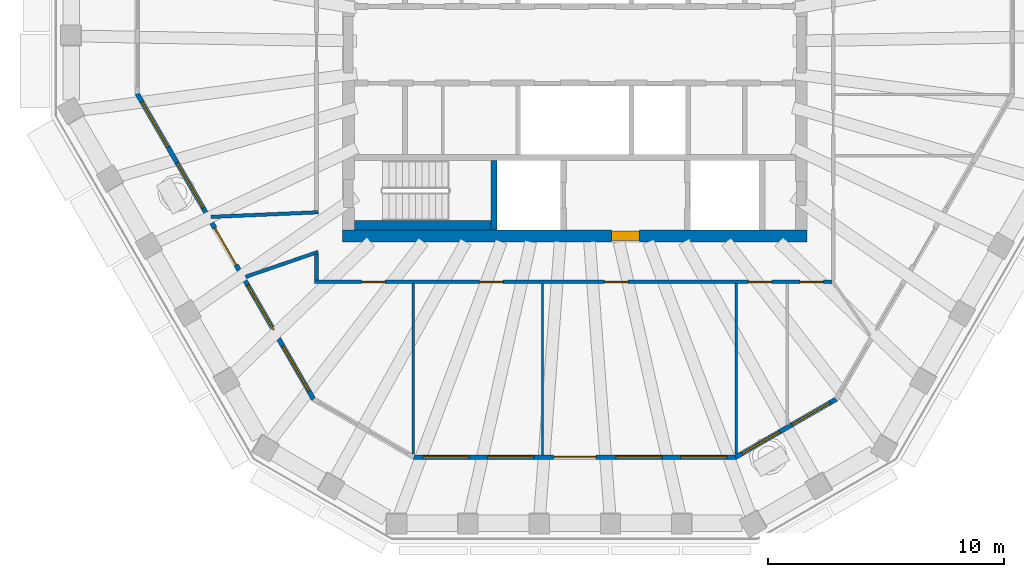
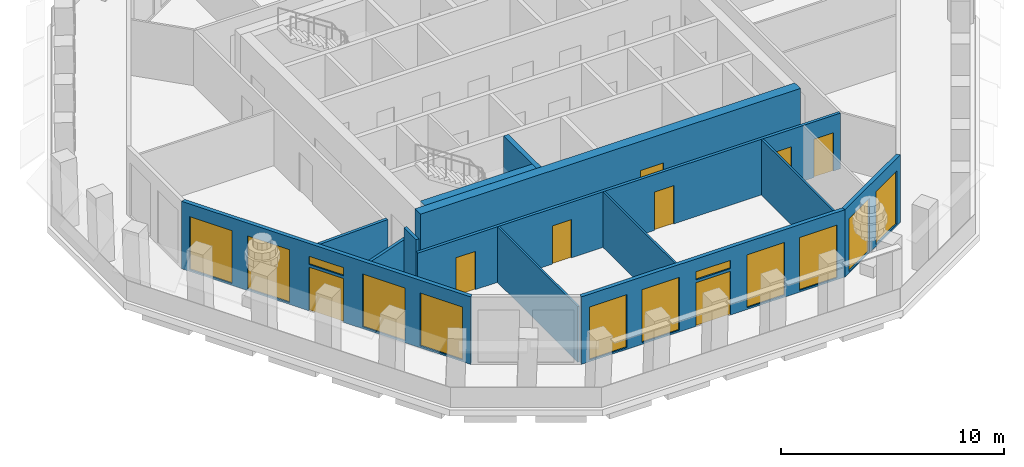
# One storey, part 3 of 11: 13 walls, 12 windows, 8 doors, 20 openings.
"""IFC4 building model written with IfcOpenShell, lengths in metres."""

from ifc_helpers import new_model, si_unit, direction, frame, frame_2d, origin, place, context, subcontext, project, spatial, polyline, rectangle, outline, extrude, material, layer, layer_set, type_object, element, fill, save


model = new_model("IFC4")

# Units and contexts
model_context = context("Model", 3, precision=1e-05, world=origin(), true_north=direction((0.0, 1.0)))
body_context = subcontext(model_context, "Body", "Model", "MODEL_VIEW")
ifc_project = project(units=[si_unit("LENGTHUNIT", "METRE"), si_unit("AREAUNIT", "SQUARE_METRE"), si_unit("VOLUMEUNIT", "CUBIC_METRE"), si_unit("PLANEANGLEUNIT", "RADIAN"), si_unit("MASSUNIT", "GRAM", prefix="KILO")], contexts=[model_context])

# Site, building, storey
site_placement = place(None, origin())
site = spatial("IfcSite", under=ifc_project, at=site_placement, CompositionType="ELEMENT")
building_placement = place(site_placement, origin())
building = spatial("IfcBuilding", under=site, at=building_placement, Name="Frailejon Research Tower", CompositionType="ELEMENT")
storey_placement = place(building_placement, frame((0.0, 0.0, 320.60009765625)))
storey = spatial("IfcBuildingStorey", under=building, at=storey_placement, Name="L71", CompositionType="ELEMENT", Elevation=320.60009765625)

# Wall, opening, door
ifc_material_1 = material(Name="Concrete C50/60", Category="concrete")
ifc_layer_1 = layer(ifc_material_1, 0.5)
ifc_layer_set_1 = layer_set([ifc_layer_1], Name="Core shear wall 500 C50/60")
wall_type_1 = type_object("IfcWallType", Name="Core shear wall 500 C50/60", PredefinedType="SHEAR", material=ifc_layer_set_1)
wall_1_placement = place(storey_placement, frame((-9.85009765625, -8.10009765625, 0.0), z_axis=(0.0, 0.0, 1.0), x_axis=(1.0, 0.0, 0.0)))
wall_1 = element("IfcWall", 1, at=wall_1_placement, inside=storey, type_object=wall_type_1, Name="Core shear wall", PredefinedType="SHEAR", context=body_context, shape_type="SweptSolid", body=[
    extrude(rectangle(XDim=19.7001953125, YDim=0.5, at=frame_2d((9.85009765625, 0.0))), origin(), (0.0, 0.0, 1.0), 3.699951171875),
])
opening_1_placement = place(wall_1_placement, frame((11.39990234375, 0.0, 0.0)))
opening_1 = element("IfcOpeningElement", 2, at=opening_1_placement, cuts=wall_1, Name="Opening D3", PredefinedType="OPENING", context=body_context, shape_type="SweptSolid", body=[
    extrude(rectangle(XDim=1.199951171875, YDim=2.10009765625, at=frame_2d((0.60009765625, 1.050048828125))), frame((0.0, 0.260009765625, 0.0), z_axis=(0.0, -1.0, 0.0), x_axis=(1.0, 0.0, 0.0)), (0.0, 0.0, 1.0), 0.52001953125),
])
ifc_material_2 = material(Name="Steel", Category="steel")
door_type_1 = type_object("IfcDoorType", Name="Firefighting lobby door", OperationType="SINGLE_SWING_LEFT", PredefinedType="DOOR", material=ifc_material_2)
door_1_placement = place(opening_1_placement, origin())
door_1 = element("IfcDoor", 3, at=door_1_placement, inside=storey, type_object=door_type_1, Name="Firefighting lobby door", OperationType="SINGLE_SWING_LEFT", OverallHeight=2.10009765625, OverallWidth=1.199951171875, PredefinedType="DOOR", context=body_context, shape_type="SweptSolid", body=[
    extrude(rectangle(XDim=1.199951171875, YDim=2.10009765625, at=frame_2d((0.60009765625, 1.050048828125))), frame((0.0, 0.199951171875, 0.0), z_axis=(0.0, -1.0, 0.0), x_axis=(1.0, 0.0, 0.0)), (0.0, 0.0, 1.0), 0.39990234375),
])
fill(opening_1, door_1)

# Wall
ifc_material_3 = material(Name="Gypsum board and masonry partition", Category="masonry")
ifc_layer_2 = layer(ifc_material_3, 0.14990234375)
ifc_layer_set_2 = layer_set([ifc_layer_2], Name="Corridor wall EI 60, gypsum on steel studs 150")
wall_type_2 = type_object("IfcWallType", Name="Corridor wall EI 60, gypsum on steel studs 150", PredefinedType="PARTITIONING", material=ifc_layer_set_2)
wall_2_placement = place(storey_placement, frame((-10.949951171875, -9.97509765625, 0.0), z_axis=(0.0, 0.0, 1.0), x_axis=(0.0, 1.0, 0.0)))
element("IfcWall", 4, at=wall_2_placement, inside=storey, type_object=wall_type_2, Name="T:IW:L71:006", PredefinedType="PARTITIONING", context=body_context, shape_type="SweptSolid", body=[
    extrude(rectangle(XDim=1.10009765625, YDim=0.14990234375, at=frame_2d((0.550048828125, 0.0))), origin(), (0.0, 0.0, 1.0), 3.699951171875),
])

# Wall, openings, doors
wall_3_placement = place(storey_placement, frame((-11.02490234375, -10.050048828125, 0.0), z_axis=(0.0, 0.0, 1.0), x_axis=(1.0, 0.0, 0.0)))
wall_3 = element("IfcWall", 5, at=wall_3_placement, inside=storey, type_object=wall_type_2, Name="T:IW:L71:008", PredefinedType="PARTITIONING", context=body_context, shape_type="SweptSolid", body=[
    extrude(rectangle(XDim=21.9248046875, YDim=0.14990234375, at=frame_2d((10.96240234375, 0.0))), origin(), (0.0, 0.0, 1.0), 3.0498046875),
])
opening_2_placement = place(wall_3_placement, frame((1.987548828125, 0.0, 0.0)))
opening_2 = element("IfcOpeningElement", 6, at=opening_2_placement, cuts=wall_3, Name="Opening D2341", PredefinedType="OPENING", context=body_context, shape_type="SweptSolid", body=[
    extrude(rectangle(XDim=1.0, YDim=2.10009765625, at=frame_2d((0.5, 1.050048828125))), frame((0.0, 0.0849609375, 0.0), z_axis=(0.0, -1.0, 0.0), x_axis=(1.0, 0.0, 0.0)), (0.0, 0.0, 1.0), 0.169921875),
])
opening_3_placement = place(wall_3_placement, frame((6.98388671875, 0.0, 0.0)))
opening_3 = element("IfcOpeningElement", 7, at=opening_3_placement, cuts=wall_3, Name="Opening D2342", PredefinedType="OPENING", context=body_context, shape_type="SweptSolid", body=[
    extrude(rectangle(XDim=1.0, YDim=2.10009765625, at=frame_2d((0.5, 1.050048828125))), frame((0.0, 0.0849609375, 0.0), z_axis=(0.0, -1.0, 0.0), x_axis=(1.0, 0.0, 0.0)), (0.0, 0.0, 1.0), 0.169921875),
])
opening_4_placement = place(wall_3_placement, frame((12.2861328125, 0.0, 0.0)))
opening_4 = element("IfcOpeningElement", 8, at=opening_4_placement, cuts=wall_3, Name="Opening D2343", PredefinedType="OPENING", context=body_context, shape_type="SweptSolid", body=[
    extrude(rectangle(XDim=1.0, YDim=2.10009765625, at=frame_2d((0.5, 1.050048828125))), frame((0.0, 0.0849609375, 0.0), z_axis=(0.0, -1.0, 0.0), x_axis=(1.0, 0.0, 0.0)), (0.0, 0.0, 1.0), 0.169921875),
])
opening_5_placement = place(wall_3_placement, frame((18.37841796875, 0.0, 0.0)))
opening_5 = element("IfcOpeningElement", 9, at=opening_5_placement, cuts=wall_3, Name="Opening D2344", PredefinedType="OPENING", context=body_context, shape_type="SweptSolid", body=[
    extrude(rectangle(XDim=1.0, YDim=2.10009765625, at=frame_2d((0.5, 1.050048828125))), frame((0.0, 0.0849609375, 0.0), z_axis=(0.0, -1.0, 0.0), x_axis=(1.0, 0.0, 0.0)), (0.0, 0.0, 1.0), 0.169921875),
])
opening_6_placement = place(wall_3_placement, frame((20.5615234375, 0.0, 0.0)))
opening_6 = element("IfcOpeningElement", 10, at=opening_6_placement, cuts=wall_3, Name="Opening D2345", PredefinedType="OPENING", context=body_context, shape_type="SweptSolid", body=[
    extrude(rectangle(XDim=1.0, YDim=2.10009765625, at=frame_2d((0.5, 1.050048828125))), frame((0.0, 0.0849609375, 0.0), z_axis=(0.0, -1.0, 0.0), x_axis=(1.0, 0.0, 0.0)), (0.0, 0.0, 1.0), 0.169921875),
])
ifc_material_4 = material(Name="Timber door leaf", Category="wood")
door_type_2 = type_object("IfcDoorType", Name="Door single leaf, timber, steel frame 1000", OperationType="NOTDEFINED", PredefinedType="DOOR", material=ifc_material_4)
door_2_placement = place(opening_2_placement, origin())
door_2 = element("IfcDoor", 11, at=door_2_placement, inside=storey, type_object=door_type_2, Name="D2341", OperationType="SINGLE_SWING_RIGHT", OverallHeight=2.10009765625, OverallWidth=1.0, PredefinedType="DOOR", context=body_context, shape_type="SweptSolid", body=[
    extrude(rectangle(XDim=1.0, YDim=2.10009765625, at=frame_2d((0.5, 1.050048828125))), frame((0.0, 0.02490234375, 0.0), z_axis=(0.0, -1.0, 0.0), x_axis=(1.0, 0.0, 0.0)), (0.0, 0.0, 1.0), 0.050048828125),
])
fill(opening_2, door_2)
door_3_placement = place(opening_3_placement, origin())
door_3 = element("IfcDoor", 12, at=door_3_placement, inside=storey, type_object=door_type_2, Name="D2342", OperationType="SINGLE_SWING_LEFT", OverallHeight=2.10009765625, OverallWidth=1.0, PredefinedType="DOOR", context=body_context, shape_type="SweptSolid", body=[
    extrude(rectangle(XDim=1.0, YDim=2.10009765625, at=frame_2d((0.5, 1.050048828125))), frame((0.0, 0.02490234375, 0.0), z_axis=(0.0, -1.0, 0.0), x_axis=(1.0, 0.0, 0.0)), (0.0, 0.0, 1.0), 0.050048828125),
])
fill(opening_3, door_3)
door_4_placement = place(opening_4_placement, origin())
door_4 = element("IfcDoor", 13, at=door_4_placement, inside=storey, type_object=door_type_2, Name="D2343", OperationType="SINGLE_SWING_LEFT", OverallHeight=2.10009765625, OverallWidth=1.0, PredefinedType="DOOR", context=body_context, shape_type="SweptSolid", body=[
    extrude(rectangle(XDim=1.0, YDim=2.10009765625, at=frame_2d((0.5, 1.050048828125))), frame((0.0, 0.02490234375, 0.0), z_axis=(0.0, -1.0, 0.0), x_axis=(1.0, 0.0, 0.0)), (0.0, 0.0, 1.0), 0.050048828125),
])
fill(opening_4, door_4)
door_5_placement = place(opening_5_placement, origin())
door_5 = element("IfcDoor", 14, at=door_5_placement, inside=storey, type_object=door_type_2, Name="D2344", OperationType="SINGLE_SWING_LEFT", OverallHeight=2.10009765625, OverallWidth=1.0, PredefinedType="DOOR", context=body_context, shape_type="SweptSolid", body=[
    extrude(rectangle(XDim=1.0, YDim=2.10009765625, at=frame_2d((0.5, 1.050048828125))), frame((0.0, 0.02490234375, 0.0), z_axis=(0.0, -1.0, 0.0), x_axis=(1.0, 0.0, 0.0)), (0.0, 0.0, 1.0), 0.050048828125),
])
fill(opening_5, door_5)
door_6_placement = place(opening_6_placement, origin())
door_6 = element("IfcDoor", 15, at=door_6_placement, inside=storey, type_object=door_type_2, Name="D2345", OperationType="SINGLE_SWING_RIGHT", OverallHeight=2.10009765625, OverallWidth=1.0, PredefinedType="DOOR", context=body_context, shape_type="SweptSolid", body=[
    extrude(rectangle(XDim=1.0, YDim=2.10009765625, at=frame_2d((0.5, 1.050048828125))), frame((0.0, 0.02490234375, 0.0), z_axis=(0.0, -1.0, 0.0), x_axis=(1.0, 0.0, 0.0)), (0.0, 0.0, 1.0), 0.050048828125),
])
fill(opening_6, door_6)

# Walls
wall_4_placement = place(storey_placement, frame((-15.420166015625, -7.29150390625, 0.0), z_axis=(0.0, 0.0, 1.0), x_axis=(0.999082600631, 0.042824725536, 0.0)))
element("IfcWall", 16, at=wall_4_placement, inside=storey, type_object=wall_type_2, Name="T:IW:L71:009", PredefinedType="PARTITIONING", context=body_context, shape_type="SweptSolid", body=[
    extrude(rectangle(XDim=4.54931640625, YDim=0.14990234375, at=frame_2d((2.274658203125, 0.0))), origin(), (0.0, 0.0, 1.0), 3.0498046875),
])
wall_5_placement = place(storey_placement, frame((-13.952880859375, -9.83251953125, 0.0), z_axis=(0.0, 0.0, 1.0), x_axis=(0.945659175167, 0.325159536878, 0.0)))
element("IfcWall", 17, at=wall_5_placement, inside=storey, type_object=wall_type_2, Name="T:IW:L71:010", PredefinedType="PARTITIONING", context=body_context, shape_type="SweptSolid", body=[
    extrude(rectangle(XDim=3.250244140625, YDim=0.14990234375, at=frame_2d((1.625, 0.0))), origin(), (0.0, 0.0, 1.0), 3.0498046875),
])
ifc_material_5 = material(Name="Gypsum board and masonry partition", Category="masonry")
ifc_layer_3 = layer(ifc_material_5, 0.10009765625)
ifc_layer_set_3 = layer_set([ifc_layer_3], Name="Partition, gypsum on steel studs 100")
wall_type_3 = type_object("IfcWallType", Name="Partition, gypsum on steel studs 100", PredefinedType="PARTITIONING", material=ifc_layer_set_3)
wall_6_placement = place(storey_placement, frame((-6.845947265625, -17.34619140625, 0.0), z_axis=(0.0, 0.0, 1.0), x_axis=(0.0, 1.0, 0.0)))
element("IfcWall", 18, at=wall_6_placement, inside=storey, type_object=wall_type_3, Name="T:IW:L71:019", PredefinedType="PARTITIONING", context=body_context, shape_type="SweptSolid", body=[
    extrude(rectangle(XDim=7.22119140625, YDim=0.10009765625, at=frame_2d((3.610595703125, 0.0))), origin(), (0.0, 0.0, 1.0), 3.0498046875),
])
wall_7_placement = place(storey_placement, frame((-1.369140625, -17.377197265625, 0.0), z_axis=(0.0, 0.0, 1.0), x_axis=(0.0, 1.0, 0.0)))
element("IfcWall", 19, at=wall_7_placement, inside=storey, type_object=wall_type_3, Name="T:IW:L71:020", PredefinedType="PARTITIONING", context=body_context, shape_type="SweptSolid", body=[
    extrude(rectangle(XDim=7.252197265625, YDim=0.10009765625, at=frame_2d((3.6259765625, 0.0))), origin(), (0.0, 0.0, 1.0), 3.0498046875),
])
wall_8_placement = place(storey_placement, frame((6.845947265625, -17.34619140625, 0.0), z_axis=(0.0, 0.0, 1.0), x_axis=(0.0, 1.0, 0.0)))
element("IfcWall", 20, at=wall_8_placement, inside=storey, type_object=wall_type_3, Name="T:IW:L71:021", PredefinedType="PARTITIONING", context=body_context, shape_type="SweptSolid", body=[
    extrude(rectangle(XDim=7.22119140625, YDim=0.10009765625, at=frame_2d((3.610595703125, 0.0))), origin(), (0.0, 0.0, 1.0), 3.0498046875),
])
ifc_material_6 = material(Name="Concrete C50/60", Category="concrete")
ifc_layer_4 = layer(ifc_material_6, 0.25)
ifc_layer_set_4 = layer_set([ifc_layer_4], Name="Shaft wall 250 C50/60")
wall_type_4 = type_object("IfcWallType", Name="Shaft wall 250 C50/60", PredefinedType="SOLIDWALL", material=ifc_layer_set_4)
wall_9_placement = place(storey_placement, frame((-3.425048828125, -7.85009765625, 0.0), z_axis=(0.0, 0.0, 1.0), x_axis=(0.0, 1.0, 0.0)))
element("IfcWall", 21, at=wall_9_placement, inside=storey, type_object=wall_type_4, Name="Shaft wall", PredefinedType="SOLIDWALL", context=body_context, shape_type="SweptSolid", body=[
    extrude(rectangle(XDim=2.9501953125, YDim=0.25, at=frame_2d((1.47509765625, 0.0))), origin(), (0.0, 0.0, 1.0), 3.699951171875),
])
ifc_material_7 = material(Name="Concrete C50/60", Category="concrete")
ifc_layer_5 = layer(ifc_material_7, 0.39990234375)
ifc_layer_set_5 = layer_set([ifc_layer_5], Name="Shaft wall 400 C50/60")
wall_type_5 = type_object("IfcWallType", Name="Shaft wall 400 C50/60", PredefinedType="SOLIDWALL", material=ifc_layer_set_5)
wall_10_placement = place(storey_placement, frame((-9.35009765625, -7.64990234375, 0.0), z_axis=(0.0, 0.0, 1.0), x_axis=(1.0, 0.0, 0.0)))
element("IfcWall", 22, at=wall_10_placement, inside=storey, type_object=wall_type_5, Name="Shaft wall", PredefinedType="SOLIDWALL", context=body_context, shape_type="SweptSolid", body=[
    extrude(rectangle(XDim=5.800048828125, YDim=0.39990234375, at=frame_2d((2.89990234375, 0.0))), origin(), (0.0, 0.0, 1.0), 3.699951171875),
])

# Wall, openings, door, windows
ifc_material_8 = material(Name="Concrete C40/50 precast window wall panel", Category="concrete")
ifc_layer_6 = layer(ifc_material_8, 0.199951171875)
ifc_layer_set_6 = layer_set([ifc_layer_6], Name="Window wall 200")
wall_type_6 = type_object("IfcWallType", Name="Window wall 200", PredefinedType="SOLIDWALL", material=ifc_layer_set_6)
wall_11_placement = place(storey_placement, frame((-18.545166015625, -2.07861328125, 0.0), z_axis=(0.0, 0.0, 1.0), x_axis=(0.499999144553, -0.866025897676, 0.0)))
wall_11 = element("IfcWall", 23, at=wall_11_placement, inside=storey, type_object=wall_type_6, Name="Exterior wall L71", PredefinedType="SOLIDWALL", context=body_context, shape_type="SweptSolid", body=[
    extrude(outline(polyline([(-0.02685546875, -0.10009765625), (1.04443359375, -0.10009765625), (2.11572265625, -0.10009765625), (3.18701171875, -0.10009765625), (4.258544921875, -0.10009765625), (5.329833984375, -0.10009765625), (6.401123046875, -0.10009765625), (7.472412109375, -0.10009765625), (8.543701171875, -0.10009765625), (9.614990234375, -0.10009765625), (10.686279296875, -0.10009765625), (11.7578125, -0.10009765625), (12.8291015625, -0.10009765625), (13.900390625, -0.10009765625), (14.9716796875, -0.10009765625), (14.91796875, 0.10009765625), (13.854248046875, 0.10009765625), (12.790771484375, 0.10009765625), (11.72705078125, 0.10009765625), (10.663330078125, 0.10009765625), (9.599609375, 0.10009765625), (8.5361328125, 0.10009765625), (7.472412109375, 0.10009765625), (6.40869140625, 0.10009765625), (5.34521484375, 0.10009765625), (4.281494140625, 0.10009765625), (3.2177734375, 0.10009765625), (2.154052734375, 0.10009765625), (1.090576171875, 0.10009765625), (0.02685546875, 0.10009765625), (-0.02685546875, -0.10009765625)])), origin(), (0.0, 0.0, 1.0), 3.699951171875),
])
opening_7_placement = place(wall_11_placement, frame((0.39453125, 0.0, 0.10009765625)))
opening_7 = element("IfcOpeningElement", 24, at=opening_7_placement, cuts=wall_11, Name="Opening W28", PredefinedType="OPENING", context=body_context, shape_type="SweptSolid", body=[
    extrude(rectangle(XDim=2.199951171875, YDim=2.89990234375, at=frame_2d((1.10009765625, 1.449951171875))), frame((0.0, 0.10986328125, 0.0), z_axis=(0.0, -1.0, 0.0), x_axis=(1.0, 0.0, 0.0)), (0.0, 0.0, 1.0), 0.219970703125),
])
opening_8_placement = place(wall_11_placement, frame((3.383544921875, 0.0, 0.10009765625)))
opening_8 = element("IfcOpeningElement", 25, at=opening_8_placement, cuts=wall_11, Name="Opening W28", PredefinedType="OPENING", context=body_context, shape_type="SweptSolid", body=[
    extrude(rectangle(XDim=2.199951171875, YDim=2.89990234375, at=frame_2d((1.10009765625, 1.449951171875))), frame((0.0, 0.10986328125, 0.0), z_axis=(0.0, -1.0, 0.0), x_axis=(1.0, 0.0, 0.0)), (0.0, 0.0, 1.0), 0.219970703125),
])
opening_9_placement = place(wall_11_placement, frame((6.572509765625, 0.0, 0.0)))
opening_9 = element("IfcOpeningElement", 26, at=opening_9_placement, cuts=wall_11, Name="Opening LG71-4", PredefinedType="OPENING", context=body_context, shape_type="SweptSolid", body=[
    extrude(rectangle(XDim=1.800048828125, YDim=2.39990234375, at=frame_2d((0.89990234375, 1.199951171875))), frame((0.0, 0.10986328125, 0.0), z_axis=(0.0, -1.0, 0.0), x_axis=(1.0, 0.0, 0.0)), (0.0, 0.0, 1.0), 0.219970703125),
])
opening_10_placement = place(wall_11_placement, frame((6.572509765625, 0.0, 2.550048828125)))
opening_10 = element("IfcOpeningElement", 27, at=opening_10_placement, cuts=wall_11, Name="Opening W1", PredefinedType="OPENING", context=body_context, shape_type="SweptSolid", body=[
    extrude(rectangle(XDim=1.800048828125, YDim=0.449951171875, at=frame_2d((0.89990234375, 0.22509765625))), frame((0.0, 0.10986328125, 0.0), z_axis=(0.0, -1.0, 0.0), x_axis=(1.0, 0.0, 0.0)), (0.0, 0.0, 1.0), 0.219970703125),
])
opening_11_placement = place(wall_11_placement, frame((9.361328125, 0.0, 0.10009765625)))
opening_11 = element("IfcOpeningElement", 28, at=opening_11_placement, cuts=wall_11, Name="Opening W28", PredefinedType="OPENING", context=body_context, shape_type="SweptSolid", body=[
    extrude(rectangle(XDim=2.199951171875, YDim=2.89990234375, at=frame_2d((1.10009765625, 1.449951171875))), frame((0.0, 0.10986328125, 0.0), z_axis=(0.0, -1.0, 0.0), x_axis=(1.0, 0.0, 0.0)), (0.0, 0.0, 1.0), 0.219970703125),
])
opening_12_placement = place(wall_11_placement, frame((12.350341796875, 0.0, 0.10009765625)))
opening_12 = element("IfcOpeningElement", 29, at=opening_12_placement, cuts=wall_11, Name="Opening W28", PredefinedType="OPENING", context=body_context, shape_type="SweptSolid", body=[
    extrude(rectangle(XDim=2.199951171875, YDim=2.89990234375, at=frame_2d((1.10009765625, 1.449951171875))), frame((0.0, 0.10986328125, 0.0), z_axis=(0.0, -1.0, 0.0), x_axis=(1.0, 0.0, 0.0)), (0.0, 0.0, 1.0), 0.219970703125),
])
ifc_material_9 = material(Name="Aluminium framed glazed door leaf", Category="aluminium")
door_type_3 = type_object("IfcDoorType", Name="Loggia door 1800x2400", OperationType="DOUBLE_DOOR_SINGLE_SWING", PredefinedType="DOOR", material=ifc_material_9)
door_7_placement = place(opening_9_placement, origin())
door_7 = element("IfcDoor", 30, at=door_7_placement, inside=storey, type_object=door_type_3, Name="Door LG71-4", OperationType="DOUBLE_DOOR_SINGLE_SWING", OverallHeight=2.39990234375, OverallWidth=1.800048828125, PredefinedType="DOOR", context=body_context, shape_type="SweptSolid", body=[
    extrude(rectangle(XDim=1.800048828125, YDim=2.39990234375, at=frame_2d((0.89990234375, 1.199951171875))), frame((0.0, 0.02490234375, 0.0), z_axis=(0.0, -1.0, 0.0), x_axis=(1.0, 0.0, 0.0)), (0.0, 0.0, 1.0), 0.050048828125),
])
fill(opening_9, door_7)
ifc_material_10 = material(Name="Aluminium framed double glazing", Category="aluminium")
window_type_1 = type_object("IfcWindowType", Name="Window 1800x450", PartitioningType="SINGLE_PANEL", PredefinedType="WINDOW", material=ifc_material_10)
window_1_placement = place(opening_10_placement, origin())
window_1 = element("IfcWindow", 31, at=window_1_placement, inside=storey, type_object=window_type_1, Name="Window L71", OverallHeight=0.449951171875, OverallWidth=1.800048828125, PartitioningType="SINGLE_PANEL", PredefinedType="WINDOW", context=body_context, shape_type="SweptSolid", body=[
    extrude(rectangle(XDim=1.800048828125, YDim=0.449951171875, at=frame_2d((0.89990234375, 0.22509765625))), frame((0.0, 0.030029296875, 0.0), z_axis=(0.0, -1.0, 0.0), x_axis=(1.0, 0.0, 0.0)), (0.0, 0.0, 1.0), 0.06005859375),
])
fill(opening_10, window_1)
ifc_material_11 = material(Name="Aluminium framed double glazing", Category="aluminium")
window_type_2 = type_object("IfcWindowType", Name="Window 2200x2900", PartitioningType="SINGLE_PANEL", PredefinedType="WINDOW", material=ifc_material_11)
window_2_placement = place(opening_7_placement, origin())
window_2 = element("IfcWindow", 32, at=window_2_placement, inside=storey, type_object=window_type_2, Name="Window L71", OverallHeight=2.89990234375, OverallWidth=2.199951171875, PartitioningType="SINGLE_PANEL", PredefinedType="WINDOW", context=body_context, shape_type="SweptSolid", body=[
    extrude(rectangle(XDim=2.199951171875, YDim=2.89990234375, at=frame_2d((1.10009765625, 1.449951171875))), frame((0.0, 0.030029296875, 0.0), z_axis=(0.0, -1.0, 0.0), x_axis=(1.0, 0.0, 0.0)), (0.0, 0.0, 1.0), 0.06005859375),
])
fill(opening_7, window_2)
window_3_placement = place(opening_8_placement, origin())
window_3 = element("IfcWindow", 33, at=window_3_placement, inside=storey, type_object=window_type_2, Name="Window L71", OverallHeight=2.89990234375, OverallWidth=2.199951171875, PartitioningType="SINGLE_PANEL", PredefinedType="WINDOW", context=body_context, shape_type="SweptSolid", body=[
    extrude(rectangle(XDim=2.199951171875, YDim=2.89990234375, at=frame_2d((1.10009765625, 1.449951171875))), frame((0.0, 0.030029296875, 0.0), z_axis=(0.0, -1.0, 0.0), x_axis=(1.0, 0.0, 0.0)), (0.0, 0.0, 1.0), 0.06005859375),
])
fill(opening_8, window_3)
window_4_placement = place(opening_11_placement, origin())
window_4 = element("IfcWindow", 34, at=window_4_placement, inside=storey, type_object=window_type_2, Name="Window L71", OverallHeight=2.89990234375, OverallWidth=2.199951171875, PartitioningType="SINGLE_PANEL", PredefinedType="WINDOW", context=body_context, shape_type="SweptSolid", body=[
    extrude(rectangle(XDim=2.199951171875, YDim=2.89990234375, at=frame_2d((1.10009765625, 1.449951171875))), frame((0.0, 0.030029296875, 0.0), z_axis=(0.0, -1.0, 0.0), x_axis=(1.0, 0.0, 0.0)), (0.0, 0.0, 1.0), 0.06005859375),
])
fill(opening_11, window_4)
window_5_placement = place(opening_12_placement, origin())
window_5 = element("IfcWindow", 35, at=window_5_placement, inside=storey, type_object=window_type_2, Name="Window L71", OverallHeight=2.89990234375, OverallWidth=2.199951171875, PartitioningType="SINGLE_PANEL", PredefinedType="WINDOW", context=body_context, shape_type="SweptSolid", body=[
    extrude(rectangle(XDim=2.199951171875, YDim=2.89990234375, at=frame_2d((1.10009765625, 1.449951171875))), frame((0.0, 0.030029296875, 0.0), z_axis=(0.0, -1.0, 0.0), x_axis=(1.0, 0.0, 0.0)), (0.0, 0.0, 1.0), 0.06005859375),
])
fill(opening_12, window_5)

wall_12_placement = place(storey_placement, frame((-6.819091796875, -17.47705078125, 0.0), z_axis=(0.0, 0.0, 1.0), x_axis=(1.0, 0.0, 0.0)))
wall_12 = element("IfcWall", 36, at=wall_12_placement, inside=storey, type_object=wall_type_6, Name="Exterior wall L71", PredefinedType="SOLIDWALL", context=body_context, shape_type="SweptSolid", body=[
    extrude(outline(polyline([(-0.02685546875, -0.10009765625), (1.0263671875, -0.10009765625), (2.07958984375, -0.10009765625), (3.1328125, -0.10009765625), (4.18603515625, -0.10009765625), (5.2392578125, -0.10009765625), (6.29248046875, -0.10009765625), (7.345703125, -0.10009765625), (8.39892578125, -0.10009765625), (9.4521484375, -0.10009765625), (10.50537109375, -0.10009765625), (11.55859375, -0.10009765625), (12.61181640625, -0.10009765625), (13.6650390625, -0.10009765625), (13.611328125, 0.10009765625), (12.56640625, 0.10009765625), (11.521484375, 0.10009765625), (10.4765625, 0.10009765625), (9.431396484375, 0.10009765625), (8.386474609375, 0.10009765625), (7.341552734375, 0.10009765625), (6.296630859375, 0.10009765625), (5.251708984375, 0.10009765625), (4.206787109375, 0.10009765625), (3.16162109375, 0.10009765625), (2.11669921875, 0.10009765625), (1.07177734375, 0.10009765625), (0.02685546875, 0.10009765625), (-0.02685546875, -0.10009765625)])), origin(), (0.0, 0.0, 1.0), 3.699951171875),
])
opening_13_placement = place(wall_12_placement, frame((0.388916015625, 0.0, 0.10009765625)))
opening_13 = element("IfcOpeningElement", 37, at=opening_13_placement, cuts=wall_12, Name="Opening W27", PredefinedType="OPENING", context=body_context, shape_type="SweptSolid", body=[
    extrude(rectangle(XDim=1.949951171875, YDim=2.89990234375, at=frame_2d((0.97509765625, 1.449951171875))), frame((0.0, 0.10986328125, 0.0), z_axis=(0.0, -1.0, 0.0), x_axis=(1.0, 0.0, 0.0)), (0.0, 0.0, 1.0), 0.219970703125),
])
opening_14_placement = place(wall_12_placement, frame((3.116455078125, 0.0, 0.10009765625)))
opening_14 = element("IfcOpeningElement", 38, at=opening_14_placement, cuts=wall_12, Name="Opening W27", PredefinedType="OPENING", context=body_context, shape_type="SweptSolid", body=[
    extrude(rectangle(XDim=1.949951171875, YDim=2.89990234375, at=frame_2d((0.97509765625, 1.449951171875))), frame((0.0, 0.10986328125, 0.0), z_axis=(0.0, -1.0, 0.0), x_axis=(1.0, 0.0, 0.0)), (0.0, 0.0, 1.0), 0.219970703125),
])
opening_15_placement = place(wall_12_placement, frame((5.919189453125, 0.0, 0.0)))
opening_15 = element("IfcOpeningElement", 39, at=opening_15_placement, cuts=wall_12, Name="Opening LG71-5", PredefinedType="OPENING", context=body_context, shape_type="SweptSolid", body=[
    extrude(rectangle(XDim=1.800048828125, YDim=2.39990234375, at=frame_2d((0.89990234375, 1.199951171875))), frame((0.0, 0.10986328125, 0.0), z_axis=(0.0, -1.0, 0.0), x_axis=(1.0, 0.0, 0.0)), (0.0, 0.0, 1.0), 0.219970703125),
])
opening_16_placement = place(wall_12_placement, frame((5.919189453125, 0.0, 2.550048828125)))
opening_16 = element("IfcOpeningElement", 40, at=opening_16_placement, cuts=wall_12, Name="Opening W1", PredefinedType="OPENING", context=body_context, shape_type="SweptSolid", body=[
    extrude(rectangle(XDim=1.800048828125, YDim=0.449951171875, at=frame_2d((0.89990234375, 0.22509765625))), frame((0.0, 0.10986328125, 0.0), z_axis=(0.0, -1.0, 0.0), x_axis=(1.0, 0.0, 0.0)), (0.0, 0.0, 1.0), 0.219970703125),
])
opening_17_placement = place(wall_12_placement, frame((8.572021484375, 0.0, 0.10009765625)))
opening_17 = element("IfcOpeningElement", 41, at=opening_17_placement, cuts=wall_12, Name="Opening W27", PredefinedType="OPENING", context=body_context, shape_type="SweptSolid", body=[
    extrude(rectangle(XDim=1.949951171875, YDim=2.89990234375, at=frame_2d((0.97509765625, 1.449951171875))), frame((0.0, 0.10986328125, 0.0), z_axis=(0.0, -1.0, 0.0), x_axis=(1.0, 0.0, 0.0)), (0.0, 0.0, 1.0), 0.219970703125),
])
opening_18_placement = place(wall_12_placement, frame((11.299560546875, 0.0, 0.10009765625)))
opening_18 = element("IfcOpeningElement", 42, at=opening_18_placement, cuts=wall_12, Name="Opening W27", PredefinedType="OPENING", context=body_context, shape_type="SweptSolid", body=[
    extrude(rectangle(XDim=1.949951171875, YDim=2.89990234375, at=frame_2d((0.97509765625, 1.449951171875))), frame((0.0, 0.10986328125, 0.0), z_axis=(0.0, -1.0, 0.0), x_axis=(1.0, 0.0, 0.0)), (0.0, 0.0, 1.0), 0.219970703125),
])
door_8_placement = place(opening_15_placement, origin())
door_8 = element("IfcDoor", 43, at=door_8_placement, inside=storey, type_object=door_type_3, Name="Door LG71-5", OperationType="DOUBLE_DOOR_SINGLE_SWING", OverallHeight=2.39990234375, OverallWidth=1.800048828125, PredefinedType="DOOR", context=body_context, shape_type="SweptSolid", body=[
    extrude(rectangle(XDim=1.800048828125, YDim=2.39990234375, at=frame_2d((0.89990234375, 1.199951171875))), frame((0.0, 0.02490234375, 0.0), z_axis=(0.0, -1.0, 0.0), x_axis=(1.0, 0.0, 0.0)), (0.0, 0.0, 1.0), 0.050048828125),
])
fill(opening_15, door_8)
window_6_placement = place(opening_16_placement, origin())
window_6 = element("IfcWindow", 44, at=window_6_placement, inside=storey, type_object=window_type_1, Name="Window L71", OverallHeight=0.449951171875, OverallWidth=1.800048828125, PartitioningType="SINGLE_PANEL", PredefinedType="WINDOW", context=body_context, shape_type="SweptSolid", body=[
    extrude(rectangle(XDim=1.800048828125, YDim=0.449951171875, at=frame_2d((0.89990234375, 0.22509765625))), frame((0.0, 0.030029296875, 0.0), z_axis=(0.0, -1.0, 0.0), x_axis=(1.0, 0.0, 0.0)), (0.0, 0.0, 1.0), 0.06005859375),
])
fill(opening_16, window_6)
ifc_material_12 = material(Name="Aluminium framed double glazing", Category="aluminium")
window_type_3 = type_object("IfcWindowType", Name="Window 1950x2900", PartitioningType="SINGLE_PANEL", PredefinedType="WINDOW", material=ifc_material_12)
window_7_placement = place(opening_13_placement, origin())
window_7 = element("IfcWindow", 45, at=window_7_placement, inside=storey, type_object=window_type_3, Name="Window L71", OverallHeight=2.89990234375, OverallWidth=1.949951171875, PartitioningType="SINGLE_PANEL", PredefinedType="WINDOW", context=body_context, shape_type="SweptSolid", body=[
    extrude(rectangle(XDim=1.949951171875, YDim=2.89990234375, at=frame_2d((0.97509765625, 1.449951171875))), frame((0.0, 0.030029296875, 0.0), z_axis=(0.0, -1.0, 0.0), x_axis=(1.0, 0.0, 0.0)), (0.0, 0.0, 1.0), 0.06005859375),
])
fill(opening_13, window_7)
window_8_placement = place(opening_14_placement, origin())
window_8 = element("IfcWindow", 46, at=window_8_placement, inside=storey, type_object=window_type_3, Name="Window L71", OverallHeight=2.89990234375, OverallWidth=1.949951171875, PartitioningType="SINGLE_PANEL", PredefinedType="WINDOW", context=body_context, shape_type="SweptSolid", body=[
    extrude(rectangle(XDim=1.949951171875, YDim=2.89990234375, at=frame_2d((0.97509765625, 1.449951171875))), frame((0.0, 0.030029296875, 0.0), z_axis=(0.0, -1.0, 0.0), x_axis=(1.0, 0.0, 0.0)), (0.0, 0.0, 1.0), 0.06005859375),
])
fill(opening_14, window_8)
window_9_placement = place(opening_17_placement, origin())
window_9 = element("IfcWindow", 47, at=window_9_placement, inside=storey, type_object=window_type_3, Name="Window L71", OverallHeight=2.89990234375, OverallWidth=1.949951171875, PartitioningType="SINGLE_PANEL", PredefinedType="WINDOW", context=body_context, shape_type="SweptSolid", body=[
    extrude(rectangle(XDim=1.949951171875, YDim=2.89990234375, at=frame_2d((0.97509765625, 1.449951171875))), frame((0.0, 0.030029296875, 0.0), z_axis=(0.0, -1.0, 0.0), x_axis=(1.0, 0.0, 0.0)), (0.0, 0.0, 1.0), 0.06005859375),
])
fill(opening_17, window_9)
window_10_placement = place(opening_18_placement, origin())
window_10 = element("IfcWindow", 48, at=window_10_placement, inside=storey, type_object=window_type_3, Name="Window L71", OverallHeight=2.89990234375, OverallWidth=1.949951171875, PartitioningType="SINGLE_PANEL", PredefinedType="WINDOW", context=body_context, shape_type="SweptSolid", body=[
    extrude(rectangle(XDim=1.949951171875, YDim=2.89990234375, at=frame_2d((0.97509765625, 1.449951171875))), frame((0.0, 0.030029296875, 0.0), z_axis=(0.0, -1.0, 0.0), x_axis=(1.0, 0.0, 0.0)), (0.0, 0.0, 1.0), 0.06005859375),
])
fill(opening_18, window_10)

# Wall, openings, windows
wall_13_placement = place(storey_placement, frame((6.819091796875, -17.47705078125, 0.0), z_axis=(0.0, 0.0, 1.0), x_axis=(0.866029143232, 0.499993523031, 0.0)))
wall_13 = element("IfcWall", 49, at=wall_13_placement, inside=storey, type_object=wall_type_6, Name="Exterior wall L71", PredefinedType="SOLIDWALL", context=body_context, shape_type="SweptSolid", body=[
    extrude(outline(polyline([(-0.02685546875, -0.10009765625), (1.21435546875, -0.10009765625), (2.455810546875, -0.10009765625), (3.697265625, -0.10009765625), (4.9384765625, -0.10009765625), (4.884765625, 0.10009765625), (3.67041015625, 0.10009765625), (2.455810546875, 0.10009765625), (1.2412109375, 0.10009765625), (0.02685546875, 0.10009765625), (-0.02685546875, -0.10009765625)])), origin(), (0.0, 0.0, 1.0), 3.699951171875),
])
opening_19_placement = place(wall_13_placement, frame((0.302978515625, 0.0, 0.10009765625)))
opening_19 = element("IfcOpeningElement", 50, at=opening_19_placement, cuts=wall_13, Name="Opening W26", PredefinedType="OPENING", context=body_context, shape_type="SweptSolid", body=[
    extrude(rectangle(XDim=1.85009765625, YDim=2.89990234375, at=frame_2d((0.925048828125, 1.449951171875))), frame((0.0, 0.10986328125, 0.0), z_axis=(0.0, -1.0, 0.0), x_axis=(1.0, 0.0, 0.0)), (0.0, 0.0, 1.0), 0.219970703125),
])
opening_20_placement = place(wall_13_placement, frame((2.7587890625, 0.0, 0.10009765625)))
opening_20 = element("IfcOpeningElement", 51, at=opening_20_placement, cuts=wall_13, Name="Opening W26", PredefinedType="OPENING", context=body_context, shape_type="SweptSolid", body=[
    extrude(rectangle(XDim=1.85009765625, YDim=2.89990234375, at=frame_2d((0.925048828125, 1.449951171875))), frame((0.0, 0.10986328125, 0.0), z_axis=(0.0, -1.0, 0.0), x_axis=(1.0, 0.0, 0.0)), (0.0, 0.0, 1.0), 0.219970703125),
])
ifc_material_13 = material(Name="Aluminium framed double glazing", Category="aluminium")
window_type_4 = type_object("IfcWindowType", Name="Window 1850x2900", PartitioningType="SINGLE_PANEL", PredefinedType="WINDOW", material=ifc_material_13)
window_11_placement = place(opening_19_placement, origin())
window_11 = element("IfcWindow", 52, at=window_11_placement, inside=storey, type_object=window_type_4, Name="Window L71", OverallHeight=2.89990234375, OverallWidth=1.85009765625, PartitioningType="SINGLE_PANEL", PredefinedType="WINDOW", context=body_context, shape_type="SweptSolid", body=[
    extrude(rectangle(XDim=1.85009765625, YDim=2.89990234375, at=frame_2d((0.925048828125, 1.449951171875))), frame((0.0, 0.030029296875, 0.0), z_axis=(0.0, -1.0, 0.0), x_axis=(1.0, 0.0, 0.0)), (0.0, 0.0, 1.0), 0.06005859375),
])
fill(opening_19, window_11)
window_12_placement = place(opening_20_placement, origin())
window_12 = element("IfcWindow", 53, at=window_12_placement, inside=storey, type_object=window_type_4, Name="Window L71", OverallHeight=2.89990234375, OverallWidth=1.85009765625, PartitioningType="SINGLE_PANEL", PredefinedType="WINDOW", context=body_context, shape_type="SweptSolid", body=[
    extrude(rectangle(XDim=1.85009765625, YDim=2.89990234375, at=frame_2d((0.925048828125, 1.449951171875))), frame((0.0, 0.030029296875, 0.0), z_axis=(0.0, -1.0, 0.0), x_axis=(1.0, 0.0, 0.0)), (0.0, 0.0, 1.0), 0.06005859375),
])
fill(opening_20, window_12)

save(model, "model.ifc")
